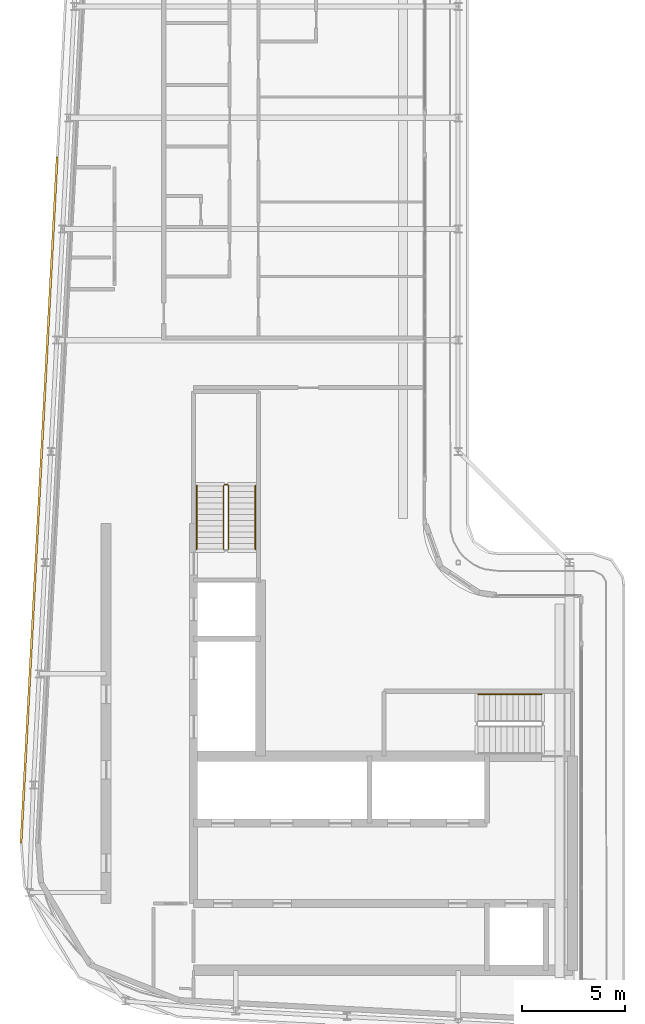
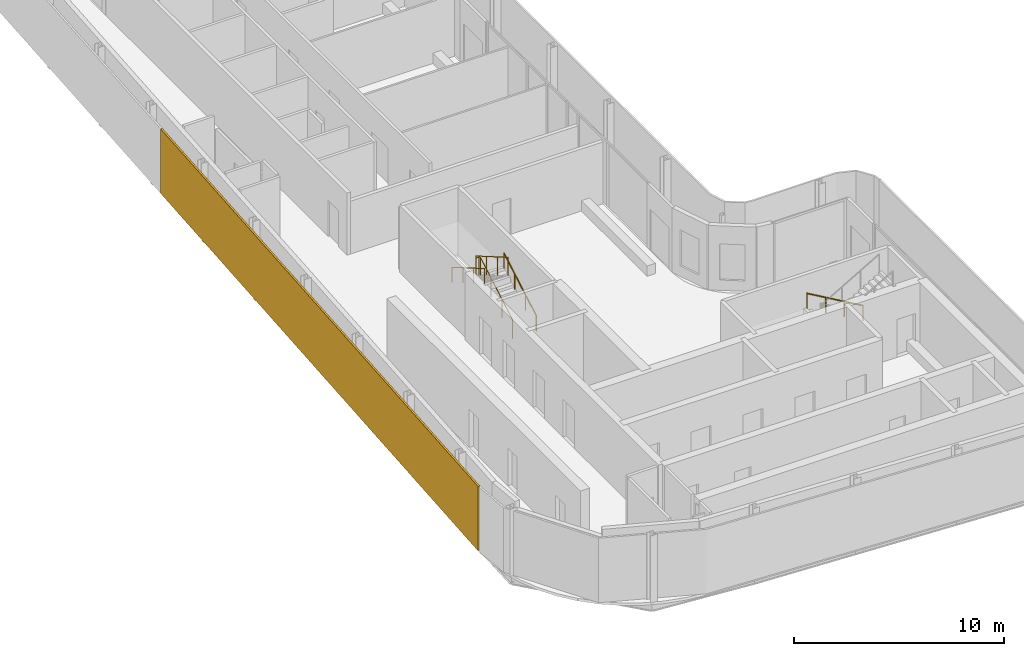
# One storey, part 15 of 18: 4 railings, 1 shading device.
"""IFC4 building model written with IfcOpenShell, lengths in metres."""

from ifc_helpers import new_model, si_unit, direction, frame, origin, origin_2d, place, context, subcontext, project, spatial, rectangle, circle, extrude, material, layer, layer_set, type_object, element, save


model = new_model("IFC4")

# Units and contexts
model_context = context("Model", 3, precision=1e-05, world=origin(), true_north=direction((0.0, 1.0)))
body_context = subcontext(model_context, "Body", "Model", "MODEL_VIEW")
ifc_project = project(units=[si_unit("LENGTHUNIT", "METRE"), si_unit("AREAUNIT", "SQUARE_METRE"), si_unit("VOLUMEUNIT", "CUBIC_METRE"), si_unit("PLANEANGLEUNIT", "RADIAN"), si_unit("MASSUNIT", "GRAM", prefix="KILO")], contexts=[model_context])

# Site, building, storey
site_placement = place(None, origin())
site = spatial("IfcSite", under=ifc_project, at=site_placement, CompositionType="ELEMENT")
building_placement = place(site_placement, origin())
building = spatial("IfcBuilding", under=site, at=building_placement, Name="Kheshtan School and Residences Tower", CompositionType="ELEMENT")
storey_placement = place(building_placement, frame((0.0, 0.0, 385.10009765625)))
storey = spatial("IfcBuildingStorey", under=building, at=storey_placement, Name="L91", CompositionType="ELEMENT", Elevation=385.10009765625)

# Shading device
ifc_material_1 = material(Name="Terracotta baguette, extruded ceramic", Category="masonry")
ifc_layer = layer(ifc_material_1, 0.10009765625)
ifc_layer_set = layer_set([ifc_layer], Name="Ledge screen, terracotta baguettes")
shading_device_type = type_object("IfcShadingDeviceType", Name="Ledge screen, terracotta baguettes", PredefinedType="USERDEFINED", material=ifc_layer_set)
shading_device_placement = place(storey_placement, frame((27.24609375, 48.638916015625, 0.0), z_axis=(0.0, 0.0, 1.0), x_axis=(0.052562536748, 0.998617634398, 0.0)))
element("IfcShadingDevice", 1, at=shading_device_placement, inside=storey, type_object=shading_device_type, Name="Screen L91 4", ObjectType="BAGUETTE", PredefinedType="USERDEFINED", context=body_context, shape_type="SweptSolid", body=[
    extrude(rectangle(XDim=33.341064453125, YDim=0.10009765625, at=origin_2d()), origin(), (0.0, 0.0, 1.0), 3.75),
])

# Railings
ifc_material_2 = material(Name="Stainless steel balustrade", Category="steel")
railing_type_1 = type_object("IfcRailingType", Name="Stair guard 1100", PredefinedType="GUARDRAIL", material=ifc_material_2)
railing_1_placement = place(storey_placement, frame((36.449951171875, 46.25, 0.162353515625)))
element("IfcRailing", 2, at=railing_1_placement, inside=storey, type_object=railing_type_1, Name="L91 ST2 stair guard 1", PredefinedType="GUARDRAIL", context=body_context, shape_type="SweptSolid", body=[
    extrude(circle(Radius=0.02392578125, at=origin_2d()), frame((0.0, 0.0, 1.076171875), z_axis=(0.0, 0.864890721111, 0.501960198159), x_axis=(-1.0, 0.0, 0.0)), (0.0, 0.0, 1.0), 3.561279296875),
    extrude(circle(Radius=0.02392578125, at=origin_2d()), frame((0.0, 3.080078125, 2.86376953125), z_axis=(-0.708833529934, 0.705375805398, 0.0), x_axis=(-0.705375805398, -0.708833529934, 0.0)), (0.0, 0.0, 1.0), 0.070556640625),
    extrude(circle(Radius=0.02392578125, at=origin_2d()), frame((-0.050048828125, 3.1298828125, 2.86376953125), z_axis=(-1.0, 0.0, 0.0), x_axis=(0.0, -1.0, 0.0)), (0.0, 0.0, 1.0), 0.14990234375),
    extrude(circle(Radius=0.02392578125, at=origin_2d()), frame((-0.199951171875, 3.1298828125, 2.86376953125), z_axis=(-0.282693820306, -0.281314826061, 0.917031173188), x_axis=(0.705375805398, -0.708833529934, 0.0)), (0.0, 0.0, 1.0), 0.177001953125),
    extrude(circle(Radius=0.02392578125, at=origin_2d()), frame((-0.25, 3.080078125, 3.02587890625), z_axis=(0.0, -0.864890721111, 0.501960198159), x_axis=(1.0, 0.0, 0.0)), (0.0, 0.0, 1.0), 3.561279296875),
    extrude(circle(Radius=0.02099609375, at=origin_2d()), origin(), (0.0, 0.0, 1.0), 1.052001953125),
    extrude(circle(Radius=0.02099609375, at=origin_2d()), frame((0.0, 1.026611328125, 0.595947265625)), (0.0, 0.0, 1.0), 1.052001953125),
    extrude(circle(Radius=0.02099609375, at=origin_2d()), frame((0.0, 2.053466796875, 1.191650390625)), (0.0, 0.0, 1.0), 1.052001953125),
    extrude(circle(Radius=0.02099609375, at=origin_2d()), frame((0.0, 3.080078125, 1.78759765625)), (0.0, 0.0, 1.0), 1.052001953125),
    extrude(circle(Radius=0.02099609375, at=origin_2d()), frame((-0.050048828125, 3.1298828125, 1.78759765625)), (0.0, 0.0, 1.0), 1.052001953125),
    extrude(circle(Radius=0.02099609375, at=origin_2d()), frame((-0.199951171875, 3.1298828125, 1.78759765625)), (0.0, 0.0, 1.0), 1.052001953125),
    extrude(circle(Radius=0.02099609375, at=origin_2d()), frame((-0.25, 3.080078125, 1.949951171875)), (0.0, 0.0, 1.0), 1.052001953125),
    extrude(circle(Radius=0.02099609375, at=origin_2d()), frame((-0.25, 2.053466796875, 2.5458984375)), (0.0, 0.0, 1.0), 1.052001953125),
    extrude(circle(Radius=0.02099609375, at=origin_2d()), frame((-0.25, 1.026611328125, 3.1416015625)), (0.0, 0.0, 1.0), 1.052001953125),
    extrude(circle(Radius=0.02099609375, at=origin_2d()), frame((-0.25, 0.0, 3.737548828125)), (0.0, 0.0, 1.0), 1.052001953125),
])
ifc_material_3 = material(Name="Stainless steel handrail", Category="steel")
railing_type_2 = type_object("IfcRailingType", Name="Stair handrail 900", PredefinedType="HANDRAIL", material=ifc_material_3)
railing_2_placement = place(storey_placement, frame((51.64990234375, 39.199951171875, 0.162353515625)))
element("IfcRailing", 3, at=railing_2_placement, inside=storey, type_object=railing_type_2, Name="L91 ST1 stair handrail 1", PredefinedType="HANDRAIL", context=body_context, shape_type="SweptSolid", body=[
    extrude(circle(Radius=0.02392578125, at=origin_2d()), frame((0.0, 0.0, 0.8759765625), z_axis=(-0.864873446163, 0.0, 0.501989962173), x_axis=(0.0, -1.0, 0.0)), (0.0, 0.0, 1.0), 3.56103515625),
    extrude(circle(Radius=0.02099609375, at=origin_2d()), origin(), (0.0, 0.0, 1.0), 0.851806640625),
    extrude(circle(Radius=0.02099609375, at=origin_2d()), frame((-1.026611328125, 0.0, 0.595947265625)), (0.0, 0.0, 1.0), 0.851806640625),
    extrude(circle(Radius=0.02099609375, at=origin_2d()), frame((-2.05322265625, 0.0, 1.191650390625)), (0.0, 0.0, 1.0), 0.851806640625),
    extrude(circle(Radius=0.02099609375, at=origin_2d()), frame((-3.079833984375, 0.0, 1.78759765625)), (0.0, 0.0, 1.0), 0.851806640625),
])
railing_3_placement = place(storey_placement, frame((37.75, 46.25, 0.162353515625)))
element("IfcRailing", 4, at=railing_3_placement, inside=storey, type_object=railing_type_2, Name="L91 ST2 stair handrail 1", PredefinedType="HANDRAIL", context=body_context, shape_type="SweptSolid", body=[
    extrude(circle(Radius=0.02392578125, at=origin_2d()), frame((0.0, 0.0, 0.8759765625), z_axis=(0.0, 0.864890721111, 0.501960198159), x_axis=(-1.0, 0.0, 0.0)), (0.0, 0.0, 1.0), 3.561279296875),
    extrude(circle(Radius=0.02099609375, at=origin_2d()), origin(), (0.0, 0.0, 1.0), 0.851806640625),
    extrude(circle(Radius=0.02099609375, at=origin_2d()), frame((0.0, 1.026611328125, 0.595947265625)), (0.0, 0.0, 1.0), 0.851806640625),
    extrude(circle(Radius=0.02099609375, at=origin_2d()), frame((0.0, 2.053466796875, 1.191650390625)), (0.0, 0.0, 1.0), 0.851806640625),
    extrude(circle(Radius=0.02099609375, at=origin_2d()), frame((0.0, 3.080078125, 1.78759765625)), (0.0, 0.0, 1.0), 0.851806640625),
])
railing_4_placement = place(storey_placement, frame((34.89990234375, 49.330078125, 2.1123046875)))
element("IfcRailing", 5, at=railing_4_placement, inside=storey, type_object=railing_type_2, Name="L91 ST2 stair handrail 2", PredefinedType="HANDRAIL", context=body_context, shape_type="SweptSolid", body=[
    extrude(circle(Radius=0.02392578125, at=origin_2d()), frame((0.0, 0.0, 0.8759765625), z_axis=(0.0, -0.864890721111, 0.501960198159), x_axis=(1.0, 0.0, 0.0)), (0.0, 0.0, 1.0), 3.561279296875),
    extrude(circle(Radius=0.02099609375, at=origin_2d()), origin(), (0.0, 0.0, 1.0), 0.851806640625),
    extrude(circle(Radius=0.02099609375, at=origin_2d()), frame((0.0, -1.026611328125, 0.595947265625)), (0.0, 0.0, 1.0), 0.851806640625),
    extrude(circle(Radius=0.02099609375, at=origin_2d()), frame((0.0, -2.053466796875, 1.191650390625)), (0.0, 0.0, 1.0), 0.851806640625),
    extrude(circle(Radius=0.02099609375, at=origin_2d()), frame((0.0, -3.080078125, 1.78759765625)), (0.0, 0.0, 1.0), 0.851806640625),
])

save(model, "model.ifc")
